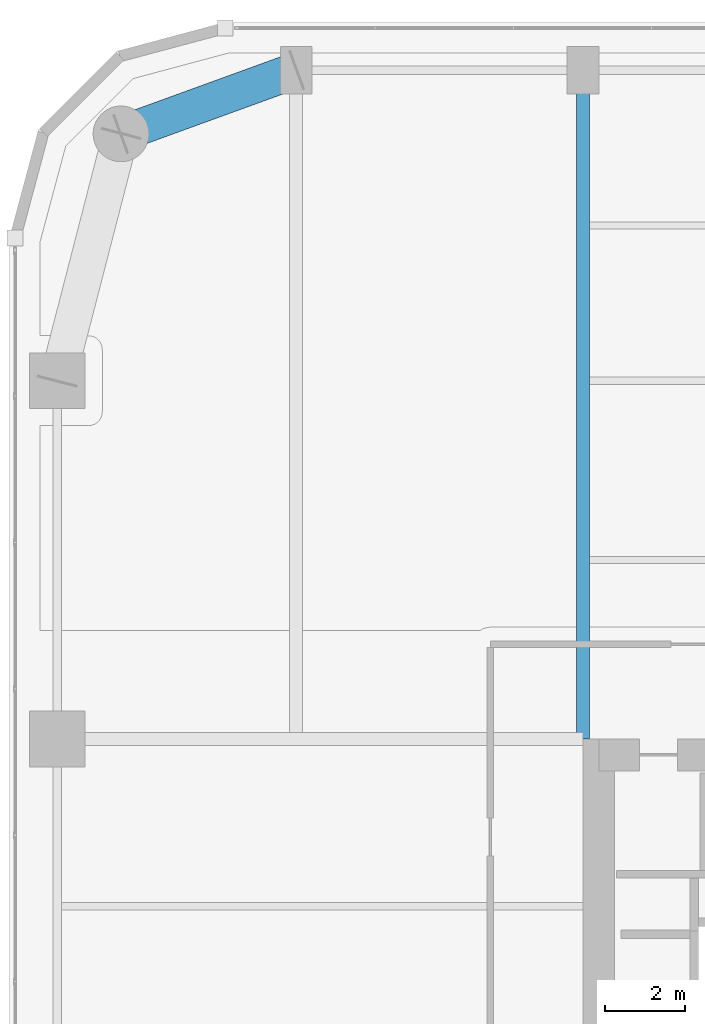
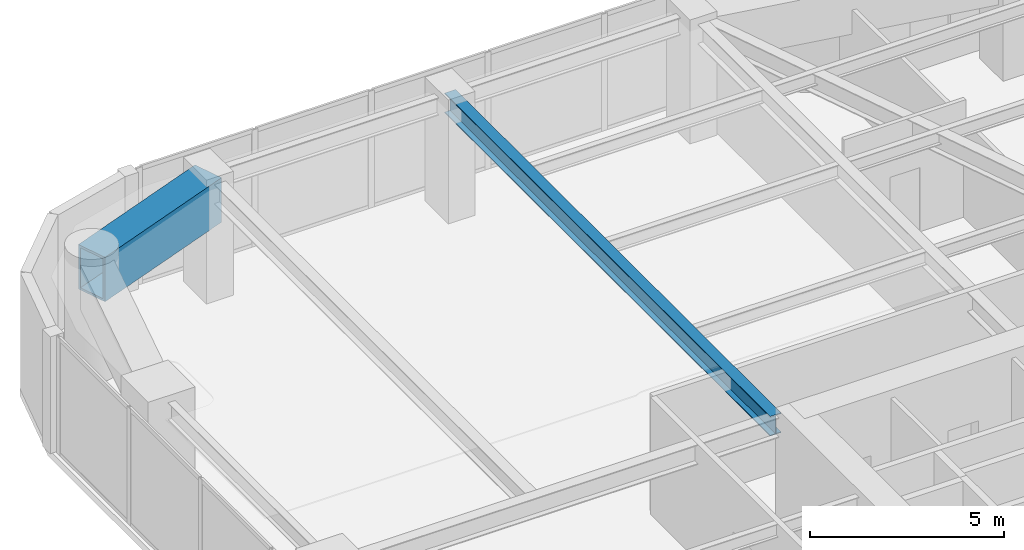
# One storey, part 16 of 30: 2 beams.
"""IFC4 building model written with IfcOpenShell, lengths in metres."""

from ifc_helpers import new_model, si_unit, direction, frame, origin, origin_2d, place, context, subcontext, project, spatial, hollow_rectangle, i_section, extrude, material, material_profile, profile_set, type_object, element, save


model = new_model("IFC4")

# Units and contexts
model_context = context("Model", 3, precision=1e-05, world=origin(), true_north=direction((0.0, 1.0)))
body_context = subcontext(model_context, "Body", "Model", "MODEL_VIEW")
ifc_project = project(units=[si_unit("LENGTHUNIT", "METRE"), si_unit("AREAUNIT", "SQUARE_METRE"), si_unit("VOLUMEUNIT", "CUBIC_METRE"), si_unit("PLANEANGLEUNIT", "RADIAN"), si_unit("MASSUNIT", "GRAM", prefix="KILO")], contexts=[model_context])

# Site, building, storey
site_placement = place(None, origin())
site = spatial("IfcSite", under=ifc_project, at=site_placement, CompositionType="ELEMENT")
building_placement = place(site_placement, origin())
building = spatial("IfcBuilding", under=site, at=building_placement, Name="Kiyonajd Concourse Tower", CompositionType="ELEMENT")
storey_placement = place(building_placement, frame((0.0, 0.0, 150.60009765625)))
storey = spatial("IfcBuildingStorey", under=building, at=storey_placement, Name="L38", CompositionType="ELEMENT", Elevation=150.60009765625)

# Beams
ifc_material_1 = material(Name="Steel ASTM A992 Grade 50", Category="steel")
ifc_material_profile_1 = material_profile(ifc_material_1, i_section(OverallWidth=0.326904296875, OverallDepth=0.6220703125, WebThickness=0.015380859375, FlangeThickness=0.0244140625, at=origin_2d()), Name="W610X195")
ifc_profile_set_1 = profile_set([ifc_material_profile_1], Name="Steel ASTM A992 Grade 50")
beam_type_1 = type_object("IfcBeamType", Name="BM-TWR-610A", PredefinedType="BEAM", material=ifc_profile_set_1)
beam_1_placement = place(storey_placement, frame((32.39990234375, 44.39990234375, 3.368896484375), z_axis=(0.0, 1.0, 0.0), x_axis=(-1.0, 0.0, 0.0)))
element("IfcBeam", 1, at=beam_1_placement, inside=storey, type_object=beam_type_1, Name="L38 North Lease Girder", PredefinedType="BEAM", context=body_context, shape_type="SweptSolid", body=[
    extrude(i_section(OverallWidth=0.326904296875, OverallDepth=0.6220703125, WebThickness=0.015380859375, FlangeThickness=0.0244140625, at=origin_2d()), origin(), (0.0, 0.0, 1.0), 16.800048828125),
])
ifc_material_2 = material(Name="Steel ASTM A572 Grade 50", Category="steel")
ifc_material_profile_2 = material_profile(ifc_material_2, hollow_rectangle(XDim=0.89990234375, YDim=1.39990234375, WallThickness=0.070068359375, at=origin_2d()), Name="BOX-1400x900x70")
ifc_profile_set_2 = profile_set([ifc_material_profile_2], Name="Steel ASTM A572 Grade 50")
beam_type_2 = type_object("IfcBeamType", Name="BM-XFER-1400", PredefinedType="BEAM", material=ifc_profile_set_2)
beam_2_placement = place(storey_placement, frame((25.199951171875, 61.199951171875, 2.97998046875), z_axis=(-0.939801036019, -0.341722127901, 0.0), x_axis=(0.341722127901, -0.939801036019, 0.0)))
element("IfcBeam", 2, at=beam_2_placement, inside=storey, type_object=beam_type_2, Name="L38 Perimeter Bundled Tube Spandrel", PredefinedType="BEAM", context=body_context, shape_type="SweptSolid", body=[
    extrude(hollow_rectangle(XDim=0.89990234375, YDim=1.39990234375, WallThickness=0.070068359375, at=origin_2d()), origin(), (0.0, 0.0, 1.0), 4.681640625),
])

save(model, "model.ifc")
